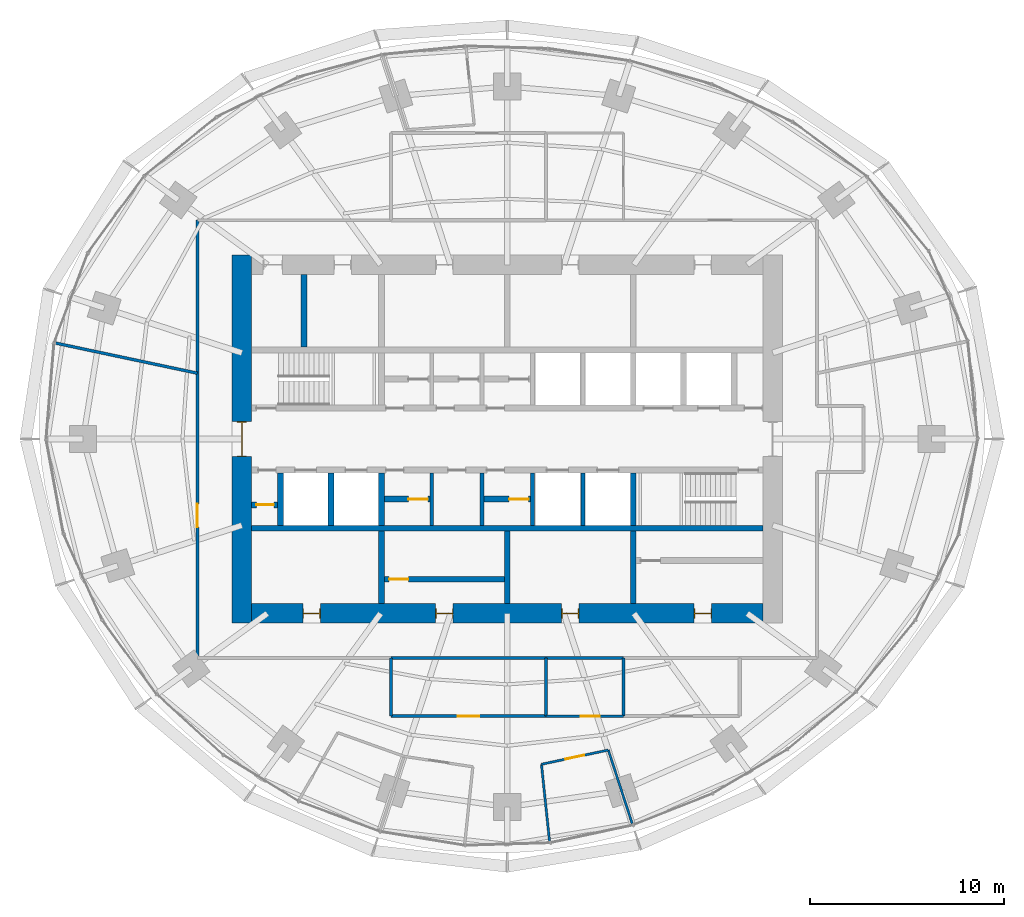
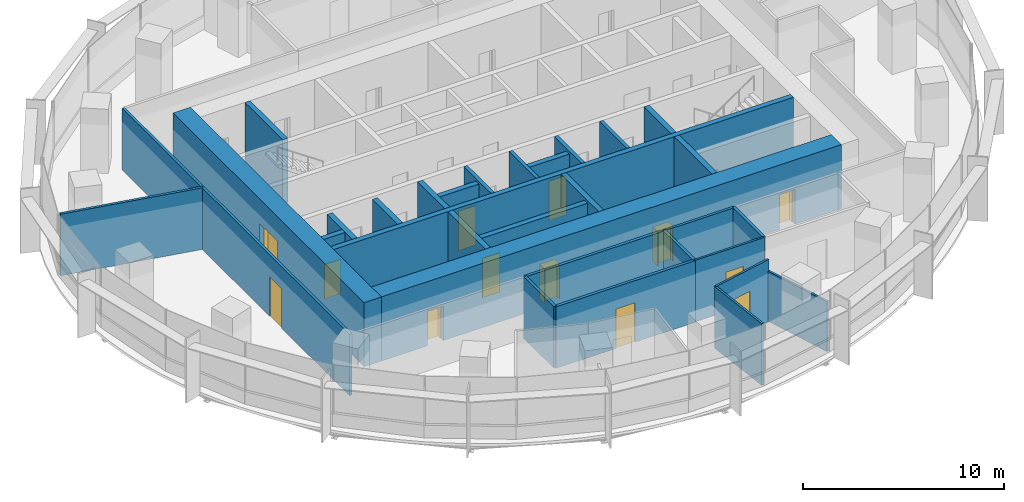
# One storey, part 10 of 15: 31 walls, 13 doors, 13 openings.
"""IFC4 building model written with IfcOpenShell, lengths in metres."""

from ifc_helpers import new_model, si_unit, direction, frame, frame_2d, origin, place, context, subcontext, project, spatial, rectangle, extrude, material, layer, layer_set, type_object, element, fill, save


model = new_model("IFC4")

# Units and contexts
model_context = context("Model", 3, precision=1e-05, world=origin(), true_north=direction((0.0, 1.0)))
body_context = subcontext(model_context, "Body", "Model", "MODEL_VIEW")
ifc_project = project(units=[si_unit("LENGTHUNIT", "METRE"), si_unit("AREAUNIT", "SQUARE_METRE"), si_unit("VOLUMEUNIT", "CUBIC_METRE"), si_unit("PLANEANGLEUNIT", "RADIAN"), si_unit("MASSUNIT", "GRAM", prefix="KILO")], contexts=[model_context])

# Site, building, storey
site_placement = place(None, origin())
site = spatial("IfcSite", under=ifc_project, at=site_placement, CompositionType="ELEMENT")
building_placement = place(site_placement, origin())
building = spatial("IfcBuilding", under=site, at=building_placement, Name="Marramba Exchange Tower", CompositionType="ELEMENT")
storey_placement = place(building_placement, frame((0.0, 0.0, 230.60009765625)))
storey = spatial("IfcBuildingStorey", under=building, at=storey_placement, Name="L56", CompositionType="ELEMENT", Elevation=230.60009765625)

# Walls
ifc_material_1 = material(Name="Plasterboard on staggered double steel studs, acoustic insulation", Category="steel")
ifc_layer_1 = layer(ifc_material_1, 0.169921875)
ifc_layer_set_1 = layer_set([ifc_layer_1], Name="Acoustic partition 170")
wall_type_1 = type_object("IfcWallType", Name="Acoustic partition 170", PredefinedType="PARTITIONING", material=ifc_layer_set_1)
wall_1_placement = place(storey_placement, frame((-6.0, -11.300048828125, 0.0), z_axis=(0.0, 0.0, 1.0), x_axis=(0.0, -1.0, 0.0)))
element("IfcWall", 1, at=wall_1_placement, inside=storey, type_object=wall_type_1, Name="Acoustic partition L56 03", PredefinedType="PARTITIONING", context=body_context, shape_type="SweptSolid", body=[
    extrude(rectangle(XDim=3.0, YDim=0.169921875, at=frame_2d((1.5, 0.0))), origin(), (0.0, 0.0, 1.0), 3.739990234375),
])
wall_2_placement = place(storey_placement, frame((2.0, -11.300048828125, 0.0), z_axis=(0.0, 0.0, 1.0), x_axis=(-1.0, 0.0, 0.0)))
element("IfcWall", 2, at=wall_2_placement, inside=storey, type_object=wall_type_1, Name="Acoustic partition L56 07", PredefinedType="PARTITIONING", context=body_context, shape_type="SweptSolid", body=[
    extrude(rectangle(XDim=8.0, YDim=0.169921875, at=frame_2d((4.0, 0.0))), origin(), (0.0, 0.0, 1.0), 3.739990234375),
])

# Wall, opening, door
wall_3_placement = place(storey_placement, frame((-6.0, -14.300048828125, 0.0), z_axis=(0.0, 0.0, 1.0), x_axis=(1.0, 0.0, 0.0)))
wall_3 = element("IfcWall", 3, at=wall_3_placement, inside=storey, type_object=wall_type_1, Name="Acoustic partition L56 08", PredefinedType="PARTITIONING", context=body_context, shape_type="SweptSolid", body=[
    extrude(rectangle(XDim=8.0, YDim=0.169921875, at=frame_2d((4.0, 0.0))), origin(), (0.0, 0.0, 1.0), 3.739990234375),
])
opening_1_placement = place(wall_3_placement, frame((3.449951171875, 0.0, 0.0)))
opening_1 = element("IfcOpeningElement", 4, at=opening_1_placement, cuts=wall_3, Name="Opening D15", PredefinedType="OPENING", context=body_context, shape_type="SweptSolid", body=[
    extrude(rectangle(XDim=1.10009765625, YDim=2.39990234375, at=frame_2d((0.550048828125, 1.199951171875))), frame((0.0, 0.094970703125, 0.0), z_axis=(0.0, -1.0, 0.0), x_axis=(1.0, 0.0, 0.0)), (0.0, 0.0, 1.0), 0.18994140625),
])
ifc_material_2 = material(Name="Timber door", Category="wood")
door_type_1 = type_object("IfcDoorType", Name="Glazed meeting room door 1100x2400", OperationType="SINGLE_SWING_LEFT", PredefinedType="DOOR", material=ifc_material_2)
door_1_placement = place(opening_1_placement, origin())
door_1 = element("IfcDoor", 5, at=door_1_placement, inside=storey, type_object=door_type_1, Name="D15 Meeting Room 2 L56", OperationType="SINGLE_SWING_RIGHT", OverallHeight=2.39990234375, OverallWidth=1.10009765625, PredefinedType="DOOR", context=body_context, shape_type="SweptSolid", body=[
    extrude(rectangle(XDim=1.10009765625, YDim=2.39990234375, at=frame_2d((0.550048828125, 1.199951171875))), frame((0.0, 0.02490234375, 0.0), z_axis=(0.0, -1.0, 0.0), x_axis=(1.0, 0.0, 0.0)), (0.0, 0.0, 1.0), 0.050048828125),
])
fill(opening_1, door_1)

# Walls
for number, where, z_axis, x_axis, name in (
    (6, (2.0, -11.300048828125, 0.0), (0.0, 0.0, 1.0), (0.0, -1.0, 0.0), "Acoustic partition L56 11"),
    (7, (6.0, -11.300048828125, 0.0), (0.0, 0.0, 1.0), (0.0, -1.0, 0.0), "Acoustic partition L56 16"),
):
    element("IfcWall", number, at=place(storey_placement, frame(where, z_axis=z_axis, x_axis=x_axis)), inside=storey, type_object=wall_type_1, Name=name, PredefinedType="PARTITIONING", context=body_context, shape_type="SweptSolid", body=[
        extrude(rectangle(XDim=3.0, YDim=0.169921875, at=frame_2d((1.5, 0.0))), origin(), (0.0, 0.0, 1.0), 3.739990234375),
    ])
ifc_material_3 = material(Name="Concrete N50", Category="concrete")
ifc_layer_2 = layer(ifc_material_3, 0.199951171875)
ifc_layer_set_2 = layer_set([ifc_layer_2], Name="Core shaft wall 200")
wall_type_2 = type_object("IfcWallType", Name="Core shaft wall 200", PredefinedType="SHEAR", material=ifc_layer_set_2)
for number, where, z_axis, x_axis, name in (
    (8, (-3.89990234375, -1.75, 0.0), (0.0, 0.0, 1.0), (0.0, -1.0, 0.0), "Core wall SHS1 L56"),
    (9, (-1.300048828125, -1.75, 0.0), (0.0, 0.0, 1.0), (0.0, -1.0, 0.0), "Core wall SHS2 L56"),
    (10, (1.300048828125, -1.75, 0.0), (0.0, 0.0, 1.0), (0.0, -1.0, 0.0), "Core wall SHS3 L56"),
    (11, (3.89990234375, -1.75, 0.0), (0.0, 0.0, 1.0), (0.0, -1.0, 0.0), "Core wall SHS4 L56"),
):
    element("IfcWall", number, at=place(storey_placement, frame(where, z_axis=z_axis, x_axis=x_axis)), inside=storey, type_object=wall_type_2, Name=name, PredefinedType="SHEAR", context=body_context, shape_type="SweptSolid", body=[
        extrude(rectangle(XDim=2.699951171875, YDim=0.199951171875, at=frame_2d((1.35009765625, 0.0))), origin(), (0.0, 0.0, 1.0), 3.89990234375),
    ])

# Wall, openings, doors
ifc_layer_3 = layer(ifc_material_3, 1.0)
ifc_layer_set_3 = layer_set([ifc_layer_3], Name="Core wall 1000")
wall_type_3 = type_object("IfcWallType", Name="Core wall 1000", PredefinedType="SHEAR", material=ifc_layer_set_3)
wall_4_placement = place(storey_placement, frame((-13.199951171875, -9.0, 0.0), z_axis=(0.0, 0.0, 1.0), x_axis=(1.0, 0.0, 0.0)))
wall_4 = element("IfcWall", 12, at=wall_4_placement, inside=storey, type_object=wall_type_3, Name="Core wall S L56", PredefinedType="SHEAR", context=body_context, shape_type="SweptSolid", body=[
    extrude(rectangle(XDim=26.39990234375, YDim=1.0, at=frame_2d((13.199951171875, 0.0))), origin(), (0.0, 0.0, 1.0), 3.89990234375),
])
opening_2_placement = place(wall_4_placement, frame((2.64990234375, 0.0, 0.0)))
opening_2 = element("IfcOpeningElement", 13, at=opening_2_placement, cuts=wall_4, Name="Opening D5", PredefinedType="OPENING", context=body_context, shape_type="SweptSolid", body=[
    extrude(rectangle(XDim=0.89990234375, YDim=2.10009765625, at=frame_2d((0.449951171875, 1.050048828125))), frame((0.0, 0.510009765625, 0.0), z_axis=(0.0, -1.0, 0.0), x_axis=(1.0, 0.0, 0.0)), (0.0, 0.0, 1.0), 1.02001953125),
])
opening_3_placement = place(wall_4_placement, frame((9.5, 0.0, 0.0)))
opening_3 = element("IfcOpeningElement", 14, at=opening_3_placement, cuts=wall_4, Name="Opening D5", PredefinedType="OPENING", context=body_context, shape_type="SweptSolid", body=[
    extrude(rectangle(XDim=0.89990234375, YDim=2.10009765625, at=frame_2d((0.449951171875, 1.050048828125))), frame((0.0, 0.510009765625, 0.0), z_axis=(0.0, -1.0, 0.0), x_axis=(1.0, 0.0, 0.0)), (0.0, 0.0, 1.0), 1.02001953125),
])
opening_4_placement = place(wall_4_placement, frame((16.0, 0.0, 0.0)))
opening_4 = element("IfcOpeningElement", 15, at=opening_4_placement, cuts=wall_4, Name="Opening D5", PredefinedType="OPENING", context=body_context, shape_type="SweptSolid", body=[
    extrude(rectangle(XDim=0.89990234375, YDim=2.10009765625, at=frame_2d((0.449951171875, 1.050048828125))), frame((0.0, 0.510009765625, 0.0), z_axis=(0.0, -1.0, 0.0), x_axis=(1.0, 0.0, 0.0)), (0.0, 0.0, 1.0), 1.02001953125),
])
opening_5_placement = place(wall_4_placement, frame((22.85009765625, 0.0, 0.0)))
opening_5 = element("IfcOpeningElement", 16, at=opening_5_placement, cuts=wall_4, Name="Opening D5", PredefinedType="OPENING", context=body_context, shape_type="SweptSolid", body=[
    extrude(rectangle(XDim=0.89990234375, YDim=2.10009765625, at=frame_2d((0.449951171875, 1.050048828125))), frame((0.0, 0.510009765625, 0.0), z_axis=(0.0, -1.0, 0.0), x_axis=(1.0, 0.0, 0.0)), (0.0, 0.0, 1.0), 1.02001953125),
])
ifc_material_4 = material(Name="Steel-framed door", Category="steel")
door_type_2 = type_object("IfcDoorType", Name="Service door 900x2100", OperationType="SINGLE_SWING_LEFT", PredefinedType="DOOR", material=ifc_material_4)
door_2_placement = place(opening_2_placement, origin())
door_2 = element("IfcDoor", 17, at=door_2_placement, inside=storey, type_object=door_type_2, Name="D5 ahu L56", OperationType="SINGLE_SWING_LEFT", OverallHeight=2.10009765625, OverallWidth=0.89990234375, PredefinedType="DOOR", context=body_context, shape_type="SweptSolid", body=[
    extrude(rectangle(XDim=0.81982421875, YDim=2.06005859375, at=frame_2d((0.449951171875, 1.030029296875))), frame((0.0, 0.02490234375, 0.0), z_axis=(0.0, -1.0, 0.0), x_axis=(1.0, 0.0, 0.0)), (0.0, 0.0, 1.0), 0.050048828125),
    extrude(rectangle(XDim=0.04, YDim=2.10009765625, at=frame_2d((0.02001953125, 1.050048828125))), frame((0.0, 0.25, 0.0), z_axis=(0.0, -1.0, 0.0), x_axis=(1.0, 0.0, 0.0)), (0.0, 0.0, 1.0), 0.5),
    extrude(rectangle(XDim=0.04, YDim=2.10009765625, at=frame_2d((0.8798828125, 1.050048828125))), frame((0.0, 0.25, 0.0), z_axis=(0.0, -1.0, 0.0), x_axis=(1.0, 0.0, 0.0)), (0.0, 0.0, 1.0), 0.5),
    extrude(rectangle(XDim=0.81982421875, YDim=0.04, at=frame_2d((0.449951171875, 2.080078125))), frame((0.0, 0.25, 0.0), z_axis=(0.0, -1.0, 0.0), x_axis=(1.0, 0.0, 0.0)), (0.0, 0.0, 1.0), 0.5),
])
fill(opening_2, door_2)
door_3_placement = place(opening_3_placement, origin())
door_3 = element("IfcDoor", 18, at=door_3_placement, inside=storey, type_object=door_type_2, Name="D5 store L56", OperationType="SINGLE_SWING_RIGHT", OverallHeight=2.10009765625, OverallWidth=0.89990234375, PredefinedType="DOOR", context=body_context, shape_type="SweptSolid", body=[
    extrude(rectangle(XDim=0.81982421875, YDim=2.06005859375, at=frame_2d((0.449951171875, 1.030029296875))), frame((0.0, 0.02490234375, 0.0), z_axis=(0.0, -1.0, 0.0), x_axis=(1.0, 0.0, 0.0)), (0.0, 0.0, 1.0), 0.050048828125),
    extrude(rectangle(XDim=0.04, YDim=2.10009765625, at=frame_2d((0.02001953125, 1.050048828125))), frame((0.0, 0.25, 0.0), z_axis=(0.0, -1.0, 0.0), x_axis=(1.0, 0.0, 0.0)), (0.0, 0.0, 1.0), 0.5),
    extrude(rectangle(XDim=0.04, YDim=2.10009765625, at=frame_2d((0.8798828125, 1.050048828125))), frame((0.0, 0.25, 0.0), z_axis=(0.0, -1.0, 0.0), x_axis=(1.0, 0.0, 0.0)), (0.0, 0.0, 1.0), 0.5),
    extrude(rectangle(XDim=0.81982421875, YDim=0.04, at=frame_2d((0.449951171875, 2.080078125))), frame((0.0, 0.25, 0.0), z_axis=(0.0, -1.0, 0.0), x_axis=(1.0, 0.0, 0.0)), (0.0, 0.0, 1.0), 0.5),
])
fill(opening_3, door_3)
door_4_placement = place(opening_4_placement, origin())
door_4 = element("IfcDoor", 19, at=door_4_placement, inside=storey, type_object=door_type_2, Name="D5 switch L56", OperationType="SINGLE_SWING_RIGHT", OverallHeight=2.10009765625, OverallWidth=0.89990234375, PredefinedType="DOOR", context=body_context, shape_type="SweptSolid", body=[
    extrude(rectangle(XDim=0.81982421875, YDim=2.06005859375, at=frame_2d((0.449951171875, 1.030029296875))), frame((0.0, 0.02490234375, 0.0), z_axis=(0.0, -1.0, 0.0), x_axis=(1.0, 0.0, 0.0)), (0.0, 0.0, 1.0), 0.050048828125),
    extrude(rectangle(XDim=0.04, YDim=2.10009765625, at=frame_2d((0.02001953125, 1.050048828125))), frame((0.0, 0.25, 0.0), z_axis=(0.0, -1.0, 0.0), x_axis=(1.0, 0.0, 0.0)), (0.0, 0.0, 1.0), 0.5),
    extrude(rectangle(XDim=0.04, YDim=2.10009765625, at=frame_2d((0.8798828125, 1.050048828125))), frame((0.0, 0.25, 0.0), z_axis=(0.0, -1.0, 0.0), x_axis=(1.0, 0.0, 0.0)), (0.0, 0.0, 1.0), 0.5),
    extrude(rectangle(XDim=0.81982421875, YDim=0.04, at=frame_2d((0.449951171875, 2.080078125))), frame((0.0, 0.25, 0.0), z_axis=(0.0, -1.0, 0.0), x_axis=(1.0, 0.0, 0.0)), (0.0, 0.0, 1.0), 0.5),
])
fill(opening_4, door_4)
door_5_placement = place(opening_5_placement, origin())
door_5 = element("IfcDoor", 20, at=door_5_placement, inside=storey, type_object=door_type_2, Name="D5 cstore L56", OperationType="SINGLE_SWING_RIGHT", OverallHeight=2.10009765625, OverallWidth=0.89990234375, PredefinedType="DOOR", context=body_context, shape_type="SweptSolid", body=[
    extrude(rectangle(XDim=0.81982421875, YDim=2.06005859375, at=frame_2d((0.449951171875, 1.030029296875))), frame((0.0, 0.02490234375, 0.0), z_axis=(0.0, -1.0, 0.0), x_axis=(1.0, 0.0, 0.0)), (0.0, 0.0, 1.0), 0.050048828125),
    extrude(rectangle(XDim=0.04, YDim=2.10009765625, at=frame_2d((0.02001953125, 1.050048828125))), frame((0.0, 0.25, 0.0), z_axis=(0.0, -1.0, 0.0), x_axis=(1.0, 0.0, 0.0)), (0.0, 0.0, 1.0), 0.5),
    extrude(rectangle(XDim=0.04, YDim=2.10009765625, at=frame_2d((0.8798828125, 1.050048828125))), frame((0.0, 0.25, 0.0), z_axis=(0.0, -1.0, 0.0), x_axis=(1.0, 0.0, 0.0)), (0.0, 0.0, 1.0), 0.5),
    extrude(rectangle(XDim=0.81982421875, YDim=0.04, at=frame_2d((0.449951171875, 2.080078125))), frame((0.0, 0.25, 0.0), z_axis=(0.0, -1.0, 0.0), x_axis=(1.0, 0.0, 0.0)), (0.0, 0.0, 1.0), 0.5),
])
fill(opening_5, door_5)

# Wall, opening, door
wall_5_placement = place(storey_placement, frame((-13.699951171875, 9.5, 0.0), z_axis=(0.0, 0.0, 1.0), x_axis=(0.0, -1.0, 0.0)))
wall_5 = element("IfcWall", 21, at=wall_5_placement, inside=storey, type_object=wall_type_3, Name="Core wall W L56", PredefinedType="SHEAR", context=body_context, shape_type="SweptSolid", body=[
    extrude(rectangle(XDim=19.0, YDim=1.0, at=frame_2d((9.5, 0.0))), origin(), (0.0, 0.0, 1.0), 3.89990234375),
])
opening_6_placement = place(wall_5_placement, frame((8.60009765625, 0.0, 0.0)))
opening_6 = element("IfcOpeningElement", 22, at=opening_6_placement, cuts=wall_5, Name="Opening D1", PredefinedType="OPENING", context=body_context, shape_type="SweptSolid", body=[
    extrude(rectangle(XDim=1.800048828125, YDim=2.39990234375, at=frame_2d((0.89990234375, 1.199951171875))), frame((0.0, 0.510009765625, 0.0), z_axis=(0.0, -1.0, 0.0), x_axis=(1.0, 0.0, 0.0)), (0.0, 0.0, 1.0), 1.02001953125),
])
door_type_3 = type_object("IfcDoorType", Name="Lobby exit door 1800x2400", OperationType="DOUBLE_DOOR_SINGLE_SWING", PredefinedType="DOOR", material=ifc_material_4)
door_6_placement = place(opening_6_placement, origin())
door_6 = element("IfcDoor", 23, at=door_6_placement, inside=storey, type_object=door_type_3, Name="D1 lobby exit west L56", OperationType="DOUBLE_DOOR_SINGLE_SWING", OverallHeight=2.39990234375, OverallWidth=1.800048828125, PredefinedType="DOOR", context=body_context, shape_type="SweptSolid", body=[
    extrude(rectangle(XDim=1.719970703125, YDim=2.35986328125, at=frame_2d((0.89990234375, 1.179931640625))), frame((0.0, 0.02490234375, 0.0), z_axis=(0.0, -1.0, 0.0), x_axis=(1.0, 0.0, 0.0)), (0.0, 0.0, 1.0), 0.050048828125),
    extrude(rectangle(XDim=0.04, YDim=2.39990234375, at=frame_2d((0.02001953125, 1.199951171875))), frame((0.0, 0.25, 0.0), z_axis=(0.0, -1.0, 0.0), x_axis=(1.0, 0.0, 0.0)), (0.0, 0.0, 1.0), 0.5),
    extrude(rectangle(XDim=0.04, YDim=2.39990234375, at=frame_2d((1.780029296875, 1.199951171875))), frame((0.0, 0.25, 0.0), z_axis=(0.0, -1.0, 0.0), x_axis=(1.0, 0.0, 0.0)), (0.0, 0.0, 1.0), 0.5),
    extrude(rectangle(XDim=1.719970703125, YDim=0.04, at=frame_2d((0.89990234375, 2.3798828125))), frame((0.0, 0.25, 0.0), z_axis=(0.0, -1.0, 0.0), x_axis=(1.0, 0.0, 0.0)), (0.0, 0.0, 1.0), 0.5),
])
fill(opening_6, door_6)

# Walls
ifc_layer_4 = layer(ifc_material_3, 0.300048828125)
ifc_layer_set_4 = layer_set([ifc_layer_4], Name="Core wall 300")
wall_type_4 = type_object("IfcWallType", Name="Core wall 300", PredefinedType="SHEAR", material=ifc_layer_set_4)
wall_6_placement = place(storey_placement, frame((-13.199951171875, -4.60009765625, 0.0), z_axis=(0.0, 0.0, 1.0), x_axis=(1.0, 0.0, 0.0)))
element("IfcWall", 24, at=wall_6_placement, inside=storey, type_object=wall_type_4, Name="Core wall BS L56", PredefinedType="SHEAR", context=body_context, shape_type="SweptSolid", body=[
    extrude(rectangle(XDim=26.39990234375, YDim=0.300048828125, at=frame_2d((13.199951171875, 0.0))), origin(), (0.0, 0.0, 1.0), 3.89990234375),
])
wall_7_placement = place(storey_placement, frame((-6.5, -1.75, 0.0), z_axis=(0.0, 0.0, 1.0), x_axis=(0.0, -1.0, 0.0)))
element("IfcWall", 25, at=wall_7_placement, inside=storey, type_object=wall_type_4, Name="Core wall X0Sa L56", PredefinedType="SHEAR", context=body_context, shape_type="SweptSolid", body=[
    extrude(rectangle(XDim=2.699951171875, YDim=0.300048828125, at=frame_2d((1.35009765625, 0.0))), origin(), (0.0, 0.0, 1.0), 3.89990234375),
])
wall_8_placement = place(storey_placement, frame((-6.5, -4.75, 0.0), z_axis=(0.0, 0.0, 1.0), x_axis=(0.0, -1.0, 0.0)))
element("IfcWall", 26, at=wall_8_placement, inside=storey, type_object=wall_type_4, Name="Core wall X0Sb L56", PredefinedType="SHEAR", context=body_context, shape_type="SweptSolid", body=[
    extrude(rectangle(XDim=3.75, YDim=0.300048828125, at=frame_2d((1.875, 0.0))), origin(), (0.0, 0.0, 1.0), 3.89990234375),
])
wall_9_placement = place(storey_placement, frame((6.5, -1.75, 0.0), z_axis=(0.0, 0.0, 1.0), x_axis=(0.0, -1.0, 0.0)))
element("IfcWall", 27, at=wall_9_placement, inside=storey, type_object=wall_type_4, Name="Core wall X1Sa L56", PredefinedType="SHEAR", context=body_context, shape_type="SweptSolid", body=[
    extrude(rectangle(XDim=2.699951171875, YDim=0.300048828125, at=frame_2d((1.35009765625, 0.0))), origin(), (0.0, 0.0, 1.0), 3.89990234375),
])
for number, where, z_axis, x_axis, name in (
    (28, (6.5, -4.75, 0.0), (0.0, 0.0, 1.0), (0.0, -1.0, 0.0), "Core wall X1Sb L56"),
    (29, (0.0, -4.75, 0.0), (0.0, 0.0, 1.0), (0.0, -1.0, 0.0), "Core wall MS L56"),
    (30, (-10.5, 4.75, 0.0), (0.0, 0.0, 1.0), (0.0, 1.0, 0.0), "Core wall WD L56"),
):
    element("IfcWall", number, at=place(storey_placement, frame(where, z_axis=z_axis, x_axis=x_axis)), inside=storey, type_object=wall_type_4, Name=name, PredefinedType="SHEAR", context=body_context, shape_type="SweptSolid", body=[
        extrude(rectangle(XDim=3.75, YDim=0.300048828125, at=frame_2d((1.875, 0.0))), origin(), (0.0, 0.0, 1.0), 3.89990234375),
    ])
ifc_material_5 = material(Name="Core-filled concrete blockwork", Category="masonry")
ifc_layer_5 = layer(ifc_material_5, 0.300048828125)
ifc_layer_set_5 = layer_set([ifc_layer_5], Name="Lift shaft wall 300")
wall_type_5 = type_object("IfcWallType", Name="Lift shaft wall 300", PredefinedType="SOLIDWALL", material=ifc_layer_set_5)
for number, where, z_axis, x_axis, name in (
    (31, (-9.10009765625, -1.75, 0.0), (0.0, 0.0, 1.0), (0.0, -1.0, 0.0), "Lift shaft wall W1 L56"),
    (32, (-11.699951171875, -1.75, 0.0), (0.0, 0.0, 1.0), (0.0, -1.0, 0.0), "Lift shaft wall W2 L56"),
):
    element("IfcWall", number, at=place(storey_placement, frame(where, z_axis=z_axis, x_axis=x_axis)), inside=storey, type_object=wall_type_5, Name=name, PredefinedType="SOLIDWALL", context=body_context, shape_type="SweptSolid", body=[
        extrude(rectangle(XDim=2.699951171875, YDim=0.300048828125, at=frame_2d((1.35009765625, 0.0))), origin(), (0.0, 0.0, 1.0), 3.739990234375),
    ])
ifc_material_6 = material(Name="Plasterboard on steel studs", Category="steel")
ifc_layer_6 = layer(ifc_material_6, 0.1201171875)
ifc_layer_set_6 = layer_set([ifc_layer_6], Name="Partition 120")
wall_type_6 = type_object("IfcWallType", Name="Partition 120", PredefinedType="PARTITIONING", material=ifc_layer_set_6)
wall_10_placement = place(storey_placement, frame((1.7646484375, -16.788818359375, 0.0), z_axis=(0.0, 0.0, 1.0), x_axis=(0.104494148666, -0.99452550138, 0.0)))
element("IfcWall", 33, at=wall_10_placement, inside=storey, type_object=wall_type_6, Name="Partition L56 10", PredefinedType="PARTITIONING", context=body_context, shape_type="SweptSolid", body=[
    extrude(rectangle(XDim=4.0, YDim=0.1201171875, at=frame_2d((2.0, 0.0))), origin(), (0.0, 0.0, 1.0), 3.739990234375),
])

# Wall, opening, door
wall_11_placement = place(storey_placement, frame((5.216064453125, -16.05322265625, 0.0), z_axis=(0.0, 0.0, 1.0), x_axis=(-0.978033661385, -0.208447012927, 0.0)))
wall_11 = element("IfcWall", 34, at=wall_11_placement, inside=storey, type_object=wall_type_6, Name="Partition L56 12", PredefinedType="PARTITIONING", context=body_context, shape_type="SweptSolid", body=[
    extrude(rectangle(XDim=3.529052734375, YDim=0.1201171875, at=frame_2d((1.7646484375, 0.0))), origin(), (0.0, 0.0, 1.0), 3.739990234375),
])
opening_7_placement = place(wall_11_placement, frame((1.263916015625, 0.0, 0.0)))
opening_7 = element("IfcOpeningElement", 35, at=opening_7_placement, cuts=wall_11, Name="Opening D9", PredefinedType="OPENING", context=body_context, shape_type="SweptSolid", body=[
    extrude(rectangle(XDim=1.0, YDim=2.39990234375, at=frame_2d((0.5, 1.199951171875))), frame((0.0, 0.070068359375, 0.0), z_axis=(0.0, -1.0, 0.0), x_axis=(1.0, 0.0, 0.0)), (0.0, 0.0, 1.0), 0.14013671875),
])
door_type_4 = type_object("IfcDoorType", Name="Room door 1000x2400", OperationType="SINGLE_SWING_LEFT", PredefinedType="DOOR", material=ifc_material_2)
door_7_placement = place(opening_7_placement, origin())
door_7 = element("IfcDoor", 36, at=door_7_placement, inside=storey, type_object=door_type_4, Name="D9 Office 3 L56", OperationType="SINGLE_SWING_RIGHT", OverallHeight=2.39990234375, OverallWidth=1.0, PredefinedType="DOOR", context=body_context, shape_type="SweptSolid", body=[
    extrude(rectangle(XDim=1.0, YDim=2.39990234375, at=frame_2d((0.5, 1.199951171875))), frame((0.0, 0.02490234375, 0.0), z_axis=(0.0, -1.0, 0.0), x_axis=(1.0, 0.0, 0.0)), (0.0, 0.0, 1.0), 0.050048828125),
])
fill(opening_7, door_7)

wall_12_placement = place(storey_placement, frame((2.0, -14.300048828125, 0.0), z_axis=(0.0, 0.0, 1.0), x_axis=(1.0, 0.0, 0.0)))
wall_12 = element("IfcWall", 37, at=wall_12_placement, inside=storey, type_object=wall_type_6, Name="Partition L56 13", PredefinedType="PARTITIONING", context=body_context, shape_type="SweptSolid", body=[
    extrude(rectangle(XDim=4.0, YDim=0.1201171875, at=frame_2d((2.0, 0.0))), origin(), (0.0, 0.0, 1.0), 3.739990234375),
])
opening_8_placement = place(wall_12_placement, frame((1.781005859375, 0.0, 0.0)))
opening_8 = element("IfcOpeningElement", 38, at=opening_8_placement, cuts=wall_12, Name="Opening D9", PredefinedType="OPENING", context=body_context, shape_type="SweptSolid", body=[
    extrude(rectangle(XDim=1.0, YDim=2.39990234375, at=frame_2d((0.5, 1.199951171875))), frame((0.0, 0.070068359375, 0.0), z_axis=(0.0, -1.0, 0.0), x_axis=(1.0, 0.0, 0.0)), (0.0, 0.0, 1.0), 0.14013671875),
])
door_8_placement = place(opening_8_placement, origin())
door_8 = element("IfcDoor", 39, at=door_8_placement, inside=storey, type_object=door_type_4, Name="D9 Pantry 2 L56", OperationType="SINGLE_SWING_RIGHT", OverallHeight=2.39990234375, OverallWidth=1.0, PredefinedType="DOOR", context=body_context, shape_type="SweptSolid", body=[
    extrude(rectangle(XDim=1.0, YDim=2.39990234375, at=frame_2d((0.5, 1.199951171875))), frame((0.0, 0.02490234375, 0.0), z_axis=(0.0, -1.0, 0.0), x_axis=(1.0, 0.0, 0.0)), (0.0, 0.0, 1.0), 0.050048828125),
])
fill(opening_8, door_8)

# Wall
wall_13_placement = place(storey_placement, frame((6.4521484375, -19.857421875, 0.0), z_axis=(0.0, 0.0, 1.0), x_axis=(-0.309022586479, 0.951054699292, 0.0)))
element("IfcWall", 40, at=wall_13_placement, inside=storey, type_object=wall_type_6, Name="Partition L56 14", PredefinedType="PARTITIONING", context=body_context, shape_type="SweptSolid", body=[
    extrude(rectangle(XDim=4.0, YDim=0.1201171875, at=frame_2d((2.0, 0.0))), origin(), (0.0, 0.0, 1.0), 3.039794921875),
])

# Wall, opening, door
ifc_layer_7 = layer(ifc_material_5, 0.300048828125)
ifc_layer_set_7 = layer_set([ifc_layer_7], Name="Riser enclosure wall 300")
wall_type_7 = type_object("IfcWallType", Name="Riser enclosure wall 300", PredefinedType="SOLIDWALL", material=ifc_layer_set_7)
wall_14_placement = place(storey_placement, frame((-13.199951171875, -3.39990234375, 0.0), z_axis=(0.0, 0.0, 1.0), x_axis=(1.0, 0.0, 0.0)))
wall_14 = element("IfcWall", 41, at=wall_14_placement, inside=storey, type_object=wall_type_7, Name="Riser enclosure wall L56", PredefinedType="SOLIDWALL", context=body_context, shape_type="SweptSolid", body=[
    extrude(rectangle(XDim=1.349853515625, YDim=0.300048828125, at=frame_2d((0.6748046875, 0.0))), origin(), (0.0, 0.0, 1.0), 3.739990234375),
])
opening_9_placement = place(wall_14_placement, frame((0.25, 0.0, 0.0)))
opening_9 = element("IfcOpeningElement", 42, at=opening_9_placement, cuts=wall_14, Name="Opening D5", PredefinedType="OPENING", context=body_context, shape_type="SweptSolid", body=[
    extrude(rectangle(XDim=0.89990234375, YDim=2.10009765625, at=frame_2d((0.449951171875, 1.050048828125))), frame((0.0, 0.159912109375, 0.0), z_axis=(0.0, -1.0, 0.0), x_axis=(1.0, 0.0, 0.0)), (0.0, 0.0, 1.0), 0.320068359375),
])
door_9_placement = place(opening_9_placement, frame((0.89990234375, 0.0, 0.0), z_axis=(0.0, 0.0, 1.0), x_axis=(-1.0, 0.0, 0.0)))
door_9 = element("IfcDoor", 43, at=door_9_placement, inside=storey, type_object=door_type_2, Name="D5 electrical riser back L56", OperationType="SINGLE_SWING_LEFT", OverallHeight=2.10009765625, OverallWidth=0.89990234375, PredefinedType="DOOR", context=body_context, shape_type="SweptSolid", body=[
    extrude(rectangle(XDim=0.89990234375, YDim=2.10009765625, at=frame_2d((0.449951171875, 1.050048828125))), frame((0.0, 0.025146484375, 0.0), z_axis=(0.0, -1.0, 0.0), x_axis=(1.0, 0.0, 0.0)), (0.0, 0.0, 1.0), 0.050048828125),
])
fill(opening_9, door_9)

ifc_material_7 = material(Name="Plasterboard on steel studs, insulated, unrated", Category="steel")
ifc_layer_8 = layer(ifc_material_7, 0.300048828125)
ifc_layer_set_8 = layer_set([ifc_layer_8], Name="Store partition 300")
wall_type_8 = type_object("IfcWallType", Name="Store partition 300", PredefinedType="PARTITIONING", material=ifc_layer_set_8)
wall_15_placement = place(storey_placement, frame((-6.35009765625, -3.10009765625, 0.0), z_axis=(0.0, 0.0, 1.0), x_axis=(1.0, 0.0, 0.0)))
wall_15 = element("IfcWall", 44, at=wall_15_placement, inside=storey, type_object=wall_type_8, Name="Store partition L56 S1", PredefinedType="PARTITIONING", context=body_context, shape_type="SweptSolid", body=[
    extrude(rectangle(XDim=2.35009765625, YDim=0.300048828125, at=frame_2d((1.175048828125, 0.0))), origin(), (0.0, 0.0, 1.0), 3.739990234375),
])
opening_10_placement = place(wall_15_placement, frame((1.25, 0.0, 0.0)))
opening_10 = element("IfcOpeningElement", 45, at=opening_10_placement, cuts=wall_15, Name="Opening D9", PredefinedType="OPENING", context=body_context, shape_type="SweptSolid", body=[
    extrude(rectangle(XDim=1.0, YDim=2.39990234375, at=frame_2d((0.5, 1.199951171875))), frame((0.0, 0.159912109375, 0.0), z_axis=(0.0, -1.0, 0.0), x_axis=(1.0, 0.0, 0.0)), (0.0, 0.0, 1.0), 0.320068359375),
])
door_10_placement = place(opening_10_placement, origin())
door_10 = element("IfcDoor", 46, at=door_10_placement, inside=storey, type_object=door_type_4, Name="D9 store room S1 L56", OperationType="SINGLE_SWING_RIGHT", OverallHeight=2.39990234375, OverallWidth=1.0, PredefinedType="DOOR", context=body_context, shape_type="SweptSolid", body=[
    extrude(rectangle(XDim=1.0, YDim=2.39990234375, at=frame_2d((0.5, 1.199951171875))), frame((0.0, 0.02490234375, 0.0), z_axis=(0.0, -1.0, 0.0), x_axis=(1.0, 0.0, 0.0)), (0.0, 0.0, 1.0), 0.050048828125),
])
fill(opening_10, door_10)

wall_16_placement = place(storey_placement, frame((-1.199951171875, -3.10009765625, 0.0), z_axis=(0.0, 0.0, 1.0), x_axis=(1.0, 0.0, 0.0)))
wall_16 = element("IfcWall", 47, at=wall_16_placement, inside=storey, type_object=wall_type_8, Name="Store partition L56 S3", PredefinedType="PARTITIONING", context=body_context, shape_type="SweptSolid", body=[
    extrude(rectangle(XDim=2.39990234375, YDim=0.300048828125, at=frame_2d((1.199951171875, 0.0))), origin(), (0.0, 0.0, 1.0), 3.739990234375),
])
opening_11_placement = place(wall_16_placement, frame((1.300048828125, 0.0, 0.0)))
opening_11 = element("IfcOpeningElement", 48, at=opening_11_placement, cuts=wall_16, Name="Opening D9", PredefinedType="OPENING", context=body_context, shape_type="SweptSolid", body=[
    extrude(rectangle(XDim=1.0, YDim=2.39990234375, at=frame_2d((0.5, 1.199951171875))), frame((0.0, 0.159912109375, 0.0), z_axis=(0.0, -1.0, 0.0), x_axis=(1.0, 0.0, 0.0)), (0.0, 0.0, 1.0), 0.320068359375),
])
door_11_placement = place(opening_11_placement, origin())
door_11 = element("IfcDoor", 49, at=door_11_placement, inside=storey, type_object=door_type_4, Name="D9 store room S3 L56", OperationType="SINGLE_SWING_RIGHT", OverallHeight=2.39990234375, OverallWidth=1.0, PredefinedType="DOOR", context=body_context, shape_type="SweptSolid", body=[
    extrude(rectangle(XDim=1.0, YDim=2.39990234375, at=frame_2d((0.5, 1.199951171875))), frame((0.0, 0.02490234375, 0.0), z_axis=(0.0, -1.0, 0.0), x_axis=(1.0, 0.0, 0.0)), (0.0, 0.0, 1.0), 0.050048828125),
])
fill(opening_11, door_11)

wall_17_placement = place(storey_placement, frame((-6.35009765625, -7.239990234375, 0.0), z_axis=(0.0, 0.0, 1.0), x_axis=(1.0, 0.0, 0.0)))
wall_17 = element("IfcWall", 50, at=wall_17_placement, inside=storey, type_object=wall_type_8, Name="Store partition L56 store", PredefinedType="PARTITIONING", context=body_context, shape_type="SweptSolid", body=[
    extrude(rectangle(XDim=6.2001953125, YDim=0.300048828125, at=frame_2d((3.10009765625, 0.0))), origin(), (0.0, 0.0, 1.0), 3.739990234375),
])
opening_12_placement = place(wall_17_placement, frame((0.25, 0.0, 0.0)))
opening_12 = element("IfcOpeningElement", 51, at=opening_12_placement, cuts=wall_17, Name="Opening D9", PredefinedType="OPENING", context=body_context, shape_type="SweptSolid", body=[
    extrude(rectangle(XDim=1.0, YDim=2.39990234375, at=frame_2d((0.5, 1.199951171875))), frame((0.0, 0.159912109375, 0.0), z_axis=(0.0, -1.0, 0.0), x_axis=(1.0, 0.0, 0.0)), (0.0, 0.0, 1.0), 0.320068359375),
])
door_12_placement = place(opening_12_placement, frame((1.0, 0.0, 0.0), z_axis=(0.0, 0.0, 1.0), x_axis=(-1.0, 0.0, 0.0)))
door_12 = element("IfcDoor", 52, at=door_12_placement, inside=storey, type_object=door_type_4, Name="D9 stationery store L56", OperationType="SINGLE_SWING_RIGHT", OverallHeight=2.39990234375, OverallWidth=1.0, PredefinedType="DOOR", context=body_context, shape_type="SweptSolid", body=[
    extrude(rectangle(XDim=1.0, YDim=2.39990234375, at=frame_2d((0.5, 1.199951171875))), frame((0.0, 0.025146484375, 0.0), z_axis=(0.0, -1.0, 0.0), x_axis=(1.0, 0.0, 0.0)), (0.0, 0.0, 1.0), 0.050048828125),
])
fill(opening_12, door_12)

# Walls
ifc_material_8 = material(Name="Fire-rated plasterboard on steel studs, acoustic insulation", Category="steel")
ifc_layer_9 = layer(ifc_material_8, 0.14990234375)
ifc_layer_set_9 = layer_set([ifc_layer_9], Name="Tenancy wall 150")
wall_type_9 = type_object("IfcWallType", Name="Tenancy wall 150", PredefinedType="PARTITIONING", material=ifc_layer_set_9)
wall_18_placement = place(storey_placement, frame((6.0, -11.300048828125, 0.0), z_axis=(0.0, 0.0, 1.0), x_axis=(-1.0, 0.0, 0.0)))
element("IfcWall", 53, at=wall_18_placement, inside=storey, type_object=wall_type_9, Name="Tenancy wall L56 15", PredefinedType="PARTITIONING", context=body_context, shape_type="SweptSolid", body=[
    extrude(rectangle(XDim=4.0, YDim=0.14990234375, at=frame_2d((2.0, 0.0))), origin(), (0.0, 0.0, 1.0), 3.739990234375),
])
wall_19_placement = place(storey_placement, frame((-16.0, 3.40087890625, 0.0), z_axis=(0.0, 0.0, 1.0), x_axis=(-0.978144499125, 0.207926282204, 0.0)))
element("IfcWall", 54, at=wall_19_placement, inside=storey, type_object=wall_type_9, Name="Tenancy wall L56 38", PredefinedType="PARTITIONING", context=body_context, shape_type="SweptSolid", body=[
    extrude(rectangle(XDim=7.480712890625, YDim=0.14990234375, at=frame_2d((3.740234375, 0.0))), origin(), (0.0, 0.0, 1.0), 3.739990234375),
])

# Wall, opening, door
wall_20_placement = place(storey_placement, frame((-16.0, 11.300048828125, 0.0), z_axis=(0.0, 0.0, 1.0), x_axis=(0.0, -1.0, 0.0)))
wall_20 = element("IfcWall", 55, at=wall_20_placement, inside=storey, type_object=wall_type_9, Name="Tenancy wall L56 39", PredefinedType="PARTITIONING", context=body_context, shape_type="SweptSolid", body=[
    extrude(rectangle(XDim=22.60009765625, YDim=0.14990234375, at=frame_2d((11.300048828125, 0.0))), origin(), (0.0, 0.0, 1.0), 3.739990234375),
])
opening_13_placement = place(wall_20_placement, frame((14.64990234375, 0.0, 0.0)))
opening_13 = element("IfcOpeningElement", 56, at=opening_13_placement, cuts=wall_20, Name="Opening D13", PredefinedType="OPENING", context=body_context, shape_type="SweptSolid", body=[
    extrude(rectangle(XDim=1.199951171875, YDim=2.39990234375, at=frame_2d((0.60009765625, 1.199951171875))), frame((0.0, 0.0849609375, 0.0), z_axis=(0.0, -1.0, 0.0), x_axis=(1.0, 0.0, 0.0)), (0.0, 0.0, 1.0), 0.169921875),
])
door_type_5 = type_object("IfcDoorType", Name="Tenancy entry door 1200x2400", OperationType="SINGLE_SWING_LEFT", PredefinedType="DOOR", material=ifc_material_4)
door_13_placement = place(opening_13_placement, origin())
door_13 = element("IfcDoor", 57, at=door_13_placement, inside=storey, type_object=door_type_5, Name="D13 Office 2 L56", OperationType="SINGLE_SWING_RIGHT", OverallHeight=2.39990234375, OverallWidth=1.199951171875, PredefinedType="DOOR", context=body_context, shape_type="SweptSolid", body=[
    extrude(rectangle(XDim=1.199951171875, YDim=2.39990234375, at=frame_2d((0.60009765625, 1.199951171875))), frame((0.0, 0.02490234375, 0.0), z_axis=(0.0, -1.0, 0.0), x_axis=(1.0, 0.0, 0.0)), (0.0, 0.0, 1.0), 0.050048828125),
])
fill(opening_13, door_13)

save(model, "model.ifc")
